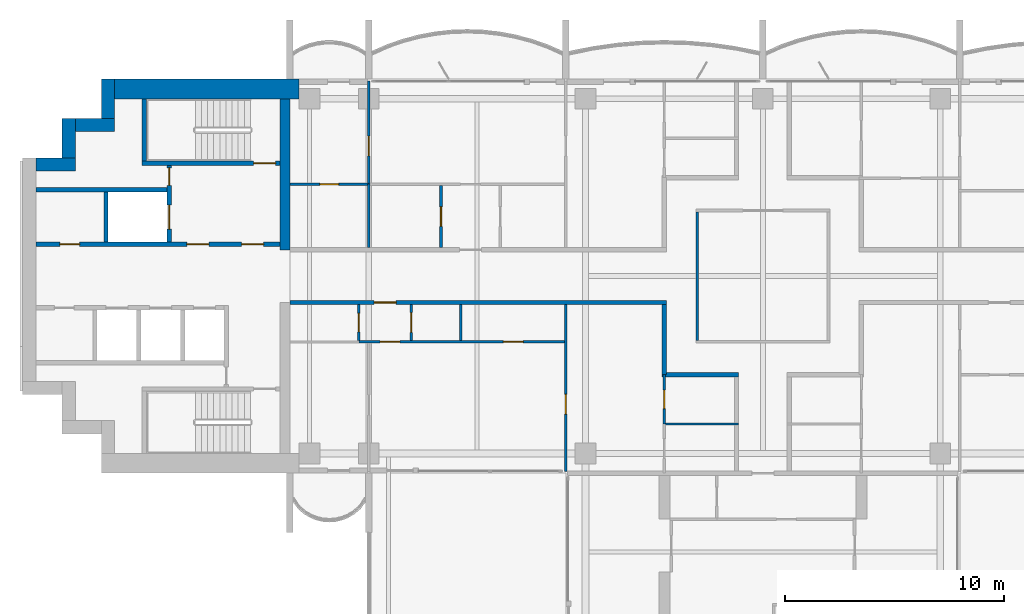
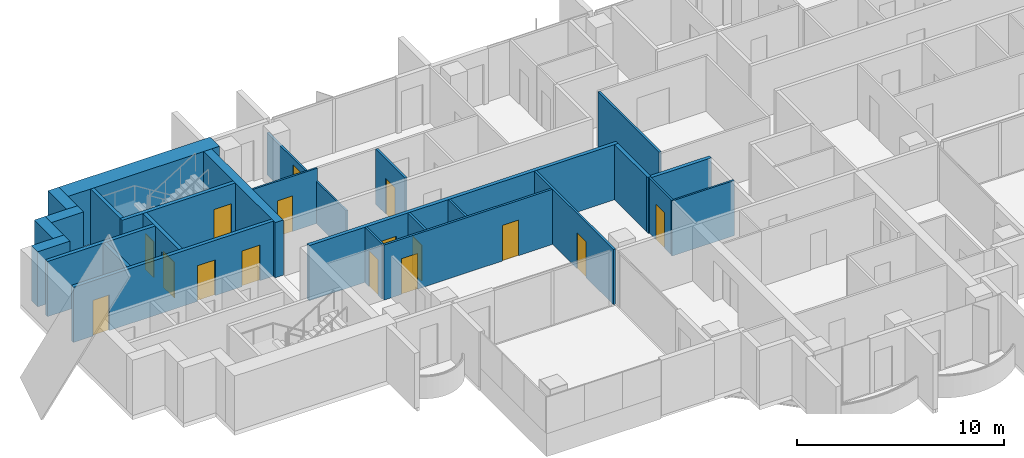
# One storey, part 9 of 17: 27 walls, 16 doors, 16 openings.
"""IFC4 building model written with IfcOpenShell, lengths in metres."""

from ifc_helpers import new_model, si_unit, direction, frame, frame_2d, origin, place, context, subcontext, project, spatial, rectangle, extrude, material, layer, layer_set, type_object, element, fill, save


model = new_model("IFC4")

# Units and contexts
model_context = context("Model", 3, precision=1e-05, world=origin(), true_north=direction((0.0, 1.0)))
body_context = subcontext(model_context, "Body", "Model", "MODEL_VIEW")
ifc_project = project(units=[si_unit("LENGTHUNIT", "METRE"), si_unit("AREAUNIT", "SQUARE_METRE"), si_unit("VOLUMEUNIT", "CUBIC_METRE"), si_unit("PLANEANGLEUNIT", "RADIAN"), si_unit("MASSUNIT", "GRAM", prefix="KILO")], contexts=[model_context])

# Site, building, storey
site_placement = place(None, origin())
site = spatial("IfcSite", under=ifc_project, at=site_placement, CompositionType="ELEMENT")
building_placement = place(site_placement, origin())
building = spatial("IfcBuilding", under=site, at=building_placement, Name="Perihelion Cross Residences", CompositionType="ELEMENT")
storey_placement = place(building_placement, frame((0.0, 0.0, 180.60009765625)))
storey = spatial("IfcBuildingStorey", under=building, at=storey_placement, Name="L44", CompositionType="ELEMENT", Elevation=180.60009765625)

# Wall, opening, door
ifc_material_1 = material(Name="Plasterboard partition")
ifc_layer_1 = layer(ifc_material_1, 0.199951171875)
ifc_layer_set_1 = layer_set([ifc_layer_1], Name="Apartment separation wall 200")
wall_type_1 = type_object("IfcWallType", Name="Apartment separation wall 200", PredefinedType="PARTITIONING", material=ifc_layer_set_1)
wall_1_placement = place(storey_placement, frame((-4.39990234375, -1.199951171875, 0.0), z_axis=(0.0, 0.0, 1.0), x_axis=(-1.0, 0.0, 0.0)))
wall_1 = element("IfcWall", 1, at=wall_1_placement, inside=storey, type_object=wall_type_1, Name="Partition L44 W017", PredefinedType="PARTITIONING", context=body_context, shape_type="SweptSolid", body=[
    extrude(rectangle(XDim=17.2001953125, YDim=0.199951171875, at=frame_2d((8.60009765625, 0.0))), origin(), (0.0, 0.0, 1.0), 3.25),
])
opening_1_placement = place(wall_1_placement, frame((12.35009765625, 0.0, 0.0)))
opening_1 = element("IfcOpeningElement", 2, at=opening_1_placement, cuts=wall_1, Name="Opening L44.A43", PredefinedType="OPENING", context=body_context, shape_type="SweptSolid", body=[
    extrude(rectangle(XDim=1.0, YDim=2.10009765625, at=frame_2d((0.5, 1.050048828125))), frame((0.0, 0.10986328125, 0.0), z_axis=(0.0, -1.0, 0.0), x_axis=(1.0, 0.0, 0.0)), (0.0, 0.0, 1.0), 0.219970703125),
])
ifc_material_2 = material(Name="Timber door leaf", Category="wood")
door_type_1 = type_object("IfcDoorType", Name="Flat entrance door 1000 x 2100", OperationType="SINGLE_SWING_LEFT", PredefinedType="DOOR", material=ifc_material_2)
door_1_placement = place(opening_1_placement, origin())
door_1 = element("IfcDoor", 3, at=door_1_placement, inside=storey, type_object=door_type_1, Name="Door L44.A43", OperationType="SINGLE_SWING_RIGHT", OverallHeight=2.10009765625, OverallWidth=1.0, PredefinedType="DOOR", context=body_context, shape_type="SweptSolid", body=[
    extrude(rectangle(XDim=1.0, YDim=2.10009765625, at=frame_2d((0.5, 1.050048828125))), frame((0.0, 0.02490234375, 0.0), z_axis=(0.0, -1.0, 0.0), x_axis=(1.0, 0.0, 0.0)), (0.0, 0.0, 1.0), 0.050048828125),
])
fill(opening_1, door_1)

# Walls
wall_2_placement = place(storey_placement, frame((-4.5, -4.5, 0.0), z_axis=(0.0, 0.0, 1.0), x_axis=(0.0, 1.0, 0.0)))
element("IfcWall", 4, at=wall_2_placement, inside=storey, type_object=wall_type_1, Name="Partition L44 W018", PredefinedType="PARTITIONING", context=body_context, shape_type="SweptSolid", body=[
    extrude(rectangle(XDim=3.199951171875, YDim=0.199951171875, at=frame_2d((1.60009765625, 0.0))), origin(), (0.0, 0.0, 1.0), 3.25),
])
wall_3_placement = place(storey_placement, frame((-1.10009765625, -4.5, 0.0), z_axis=(0.0, 0.0, 1.0), x_axis=(-1.0, 0.0, 0.0)))
element("IfcWall", 5, at=wall_3_placement, inside=storey, type_object=wall_type_1, Name="Partition L44 W020", PredefinedType="PARTITIONING", context=body_context, shape_type="SweptSolid", body=[
    extrude(rectangle(XDim=3.5, YDim=0.199951171875, at=frame_2d((1.75, 0.0))), origin(), (0.0, 0.0, 1.0), 3.25),
])
ifc_material_3 = material(Name="Concrete C60/75", Category="concrete")
ifc_layer_2 = layer(ifc_material_3, 0.449951171875)
ifc_layer_set_2 = layer_set([ifc_layer_2], Name="Core wall, inner 450")
wall_type_2 = type_object("IfcWallType", Name="Core wall, inner 450", PredefinedType="SHEAR", material=ifc_layer_set_2)
wall_4_placement = place(storey_placement, frame((-21.824951171875, 1.199951171875, 0.0), z_axis=(0.0, 0.0, 1.0), x_axis=(0.0, 1.0, 0.0)))
element("IfcWall", 6, at=wall_4_placement, inside=storey, type_object=wall_type_2, Name="West core core wall, inner", PredefinedType="SHEAR", context=body_context, shape_type="SweptSolid", body=[
    extrude(rectangle(XDim=6.900146484375, YDim=0.449951171875, at=frame_2d((3.4501953125, 0.0))), origin(), (0.0, 0.0, 1.0), 3.25),
])
ifc_material_4 = material(Name="Concrete C60/75", Category="concrete")
ifc_layer_3 = layer(ifc_material_4, 0.60009765625)
ifc_layer_set_3 = layer_set([ifc_layer_3], Name="Core wall, outer 600")
wall_type_3 = type_object("IfcWallType", Name="Core wall, outer 600", PredefinedType="SHEAR", material=ifc_layer_set_3)
for number, where, z_axis, x_axis, name in (
    (7, (-33.199951171875, 5.10009765625, 0.0), (0.0, 0.0, 1.0), (1.0, 0.0, 0.0), "West core core wall, outer"),
    (8, (-31.699951171875, 5.39990234375, 0.0), (0.0, 0.0, 1.0), (0.0, 1.0, 0.0), "West core core wall, outer"),
):
    element("IfcWall", number, at=place(storey_placement, frame(where, z_axis=z_axis, x_axis=x_axis)), inside=storey, type_object=wall_type_3, Name=name, PredefinedType="SHEAR", context=body_context, shape_type="SweptSolid", body=[
        extrude(rectangle(XDim=1.800048828125, YDim=0.60009765625, at=frame_2d((0.89990234375, 0.0))), origin(), (0.0, 0.0, 1.0), 3.25),
    ])
wall_5_placement = place(storey_placement, frame((-31.39990234375, 6.89990234375, 0.0), z_axis=(0.0, 0.0, 1.0), x_axis=(1.0, 0.0, 0.0)))
element("IfcWall", 9, at=wall_5_placement, inside=storey, type_object=wall_type_3, Name="West core core wall, outer", PredefinedType="SHEAR", context=body_context, shape_type="SweptSolid", body=[
    extrude(rectangle(XDim=1.7998046875, YDim=0.60009765625, at=frame_2d((0.89990234375, 0.0))), origin(), (0.0, 0.0, 1.0), 3.25),
])
wall_6_placement = place(storey_placement, frame((-29.89990234375, 7.199951171875, 0.0), z_axis=(0.0, 0.0, 1.0), x_axis=(0.0, 1.0, 0.0)))
element("IfcWall", 10, at=wall_6_placement, inside=storey, type_object=wall_type_3, Name="West core core wall, outer", PredefinedType="SHEAR", context=body_context, shape_type="SweptSolid", body=[
    extrude(rectangle(XDim=1.800048828125, YDim=0.60009765625, at=frame_2d((0.89990234375, 0.0))), origin(), (0.0, 0.0, 1.0), 3.25),
])
ifc_material_5 = material(Name="Concrete C60/75", Category="concrete")
ifc_layer_4 = layer(ifc_material_5, 0.89990234375)
ifc_layer_set_4 = layer_set([ifc_layer_4], Name="Core wall, outer 900")
wall_type_4 = type_object("IfcWallType", Name="Core wall, outer 900", PredefinedType="SHEAR", material=ifc_layer_set_4)
wall_7_placement = place(storey_placement, frame((-29.60009765625, 8.550048828125, 0.0), z_axis=(0.0, 0.0, 1.0), x_axis=(1.0, 0.0, 0.0)))
element("IfcWall", 11, at=wall_7_placement, inside=storey, type_object=wall_type_4, Name="West core core wall, outer", PredefinedType="SHEAR", context=body_context, shape_type="SweptSolid", body=[
    extrude(rectangle(XDim=8.425048828125, YDim=0.89990234375, at=frame_2d((4.21240234375, 0.0))), origin(), (0.0, 0.0, 1.0), 3.25),
])
ifc_material_6 = material(Name="Plasterboard partition")
ifc_layer_5 = layer(ifc_material_6, 0.1201171875)
ifc_layer_set_5 = layer_set([ifc_layer_5], Name="Partition wall 120")
wall_type_5 = type_object("IfcWallType", Name="Partition wall 120", PredefinedType="PARTITIONING", material=ifc_layer_set_5)
wall_8_placement = place(storey_placement, frame((-3.0, 2.93994140625, 0.0), z_axis=(0.0, 0.0, 1.0), x_axis=(0.0, -1.0, 0.0)))
element("IfcWall", 12, at=wall_8_placement, inside=storey, type_object=wall_type_5, Name="Partition L44 W004", PredefinedType="PARTITIONING", context=body_context, shape_type="SweptSolid", body=[
    extrude(rectangle(XDim=5.8798828125, YDim=0.1201171875, at=frame_2d((2.93994140625, 0.0))), origin(), (0.0, 0.0, 1.0), 3.25),
])

# Wall, opening, door
wall_9_placement = place(storey_placement, frame((-14.699951171875, 1.300048828125, 0.0), z_axis=(0.0, 0.0, 1.0), x_axis=(0.0, 1.0, 0.0)))
wall_9 = element("IfcWall", 13, at=wall_9_placement, inside=storey, type_object=wall_type_5, Name="Partition L44 W046", PredefinedType="PARTITIONING", context=body_context, shape_type="SweptSolid", body=[
    extrude(rectangle(XDim=2.83984375, YDim=0.1201171875, at=frame_2d((1.419921875, 0.0))), origin(), (0.0, 0.0, 1.0), 3.25),
])
opening_2_placement = place(wall_9_placement, frame((0.969970703125, 0.0, 0.0)))
opening_2 = element("IfcOpeningElement", 14, at=opening_2_placement, cuts=wall_9, Name="Opening L44.A24", PredefinedType="OPENING", context=body_context, shape_type="SweptSolid", body=[
    extrude(rectangle(XDim=0.89990234375, YDim=2.10009765625, at=frame_2d((0.449951171875, 1.050048828125))), frame((0.0, 0.070068359375, 0.0), z_axis=(0.0, -1.0, 0.0), x_axis=(1.0, 0.0, 0.0)), (0.0, 0.0, 1.0), 0.14013671875),
])
ifc_material_7 = material(Name="Timber door leaf", Category="wood")
door_type_2 = type_object("IfcDoorType", Name="Interior room door 900 x 2100", OperationType="SINGLE_SWING_LEFT", PredefinedType="DOOR", material=ifc_material_7)
door_2_placement = place(opening_2_placement, origin())
door_2 = element("IfcDoor", 15, at=door_2_placement, inside=storey, type_object=door_type_2, Name="Door L44.A24", OperationType="SINGLE_SWING_RIGHT", OverallHeight=2.10009765625, OverallWidth=0.89990234375, PredefinedType="DOOR", context=body_context, shape_type="SweptSolid", body=[
    extrude(rectangle(XDim=0.89990234375, YDim=2.10009765625, at=frame_2d((0.449951171875, 1.050048828125))), frame((0.0, 0.02490234375, 0.0), z_axis=(0.0, -1.0, 0.0), x_axis=(1.0, 0.0, 0.0)), (0.0, 0.0, 1.0), 0.050048828125),
])
fill(opening_2, door_2)

wall_10_placement = place(storey_placement, frame((-18.0, 4.199951171875, 0.0), z_axis=(0.0, 0.0, 1.0), x_axis=(0.0, 1.0, 0.0)))
wall_10 = element("IfcWall", 16, at=wall_10_placement, inside=storey, type_object=wall_type_5, Name="Partition L44 W049", PredefinedType="PARTITIONING", context=body_context, shape_type="SweptSolid", body=[
    extrude(rectangle(XDim=4.719970703125, YDim=0.1201171875, at=frame_2d((2.35986328125, 0.0))), origin(), (0.0, 0.0, 1.0), 2.47998046875),
])
opening_3_placement = place(wall_10_placement, frame((1.300048828125, 0.0, 0.0)))
opening_3 = element("IfcOpeningElement", 17, at=opening_3_placement, cuts=wall_10, Name="Opening L44.A18", PredefinedType="OPENING", context=body_context, shape_type="SweptSolid", body=[
    extrude(rectangle(XDim=0.89990234375, YDim=2.10009765625, at=frame_2d((0.449951171875, 1.050048828125))), frame((0.0, 0.070068359375, 0.0), z_axis=(0.0, -1.0, 0.0), x_axis=(1.0, 0.0, 0.0)), (0.0, 0.0, 1.0), 0.14013671875),
])
door_3_placement = place(opening_3_placement, origin())
door_3 = element("IfcDoor", 18, at=door_3_placement, inside=storey, type_object=door_type_2, Name="Door L44.A18", OperationType="SINGLE_SWING_LEFT", OverallHeight=2.10009765625, OverallWidth=0.89990234375, PredefinedType="DOOR", context=body_context, shape_type="SweptSolid", body=[
    extrude(rectangle(XDim=0.89990234375, YDim=2.10009765625, at=frame_2d((0.449951171875, 1.050048828125))), frame((0.0, 0.02490234375, 0.0), z_axis=(0.0, -1.0, 0.0), x_axis=(1.0, 0.0, 0.0)), (0.0, 0.0, 1.0), 0.050048828125),
])
fill(opening_3, door_3)

# Wall
wall_11_placement = place(storey_placement, frame((-13.800048828125, -2.93994140625, 0.0), z_axis=(0.0, 0.0, 1.0), x_axis=(0.0, 1.0, 0.0)))
element("IfcWall", 19, at=wall_11_placement, inside=storey, type_object=wall_type_5, Name="Partition L44 W053", PredefinedType="PARTITIONING", context=body_context, shape_type="SweptSolid", body=[
    extrude(rectangle(XDim=1.639892578125, YDim=0.1201171875, at=frame_2d((0.81982421875, 0.0))), origin(), (0.0, 0.0, 1.0), 3.25),
])

# Wall, openings, doors
wall_12_placement = place(storey_placement, frame((-8.93994140625, -3.0, 0.0), z_axis=(0.0, 0.0, 1.0), x_axis=(-1.0, 0.0, 0.0)))
wall_12 = element("IfcWall", 20, at=wall_12_placement, inside=storey, type_object=wall_type_5, Name="Partition L44 W054", PredefinedType="PARTITIONING", context=body_context, shape_type="SweptSolid", body=[
    extrude(rectangle(XDim=9.510009765625, YDim=0.1201171875, at=frame_2d((4.7548828125, 0.0))), origin(), (0.0, 0.0, 1.0), 3.25),
])
opening_4_placement = place(wall_12_placement, frame((2.010009765625, 0.0, 0.0)))
opening_4 = element("IfcOpeningElement", 21, at=opening_4_placement, cuts=wall_12, Name="Opening L44.A27", PredefinedType="OPENING", context=body_context, shape_type="SweptSolid", body=[
    extrude(rectangle(XDim=0.89990234375, YDim=2.10009765625, at=frame_2d((0.449951171875, 1.050048828125))), frame((0.0, 0.070068359375, 0.0), z_axis=(0.0, -1.0, 0.0), x_axis=(1.0, 0.0, 0.0)), (0.0, 0.0, 1.0), 0.14013671875),
])
opening_5_placement = place(wall_12_placement, frame((7.635009765625, 0.0, 0.0)))
opening_5 = element("IfcOpeningElement", 22, at=opening_5_placement, cuts=wall_12, Name="Opening L44.A30", PredefinedType="OPENING", context=body_context, shape_type="SweptSolid", body=[
    extrude(rectangle(XDim=0.89990234375, YDim=2.10009765625, at=frame_2d((0.449951171875, 1.050048828125))), frame((0.0, 0.070068359375, 0.0), z_axis=(0.0, -1.0, 0.0), x_axis=(1.0, 0.0, 0.0)), (0.0, 0.0, 1.0), 0.14013671875),
])
door_4_placement = place(opening_4_placement, origin())
door_4 = element("IfcDoor", 23, at=door_4_placement, inside=storey, type_object=door_type_2, Name="Door L44.A27", OperationType="SINGLE_SWING_RIGHT", OverallHeight=2.10009765625, OverallWidth=0.89990234375, PredefinedType="DOOR", context=body_context, shape_type="SweptSolid", body=[
    extrude(rectangle(XDim=0.89990234375, YDim=2.10009765625, at=frame_2d((0.449951171875, 1.050048828125))), frame((0.0, 0.02490234375, 0.0), z_axis=(0.0, -1.0, 0.0), x_axis=(1.0, 0.0, 0.0)), (0.0, 0.0, 1.0), 0.050048828125),
])
fill(opening_4, door_4)
door_5_placement = place(opening_5_placement, origin())
door_5 = element("IfcDoor", 24, at=door_5_placement, inside=storey, type_object=door_type_2, Name="Door L44.A30", OperationType="SINGLE_SWING_LEFT", OverallHeight=2.10009765625, OverallWidth=0.89990234375, PredefinedType="DOOR", context=body_context, shape_type="SweptSolid", body=[
    extrude(rectangle(XDim=0.89990234375, YDim=2.10009765625, at=frame_2d((0.449951171875, 1.050048828125))), frame((0.0, 0.02490234375, 0.0), z_axis=(0.0, -1.0, 0.0), x_axis=(1.0, 0.0, 0.0)), (0.0, 0.0, 1.0), 0.050048828125),
])
fill(opening_5, door_5)

# Wall, opening, door
wall_13_placement = place(storey_placement, frame((-9.0, -1.300048828125, 0.0), z_axis=(0.0, 0.0, 1.0), x_axis=(0.0, -1.0, 0.0)))
wall_13 = element("IfcWall", 25, at=wall_13_placement, inside=storey, type_object=wall_type_5, Name="Partition L44 W055", PredefinedType="PARTITIONING", context=body_context, shape_type="SweptSolid", body=[
    extrude(rectangle(XDim=7.619873046875, YDim=0.1201171875, at=frame_2d((3.81005859375, 0.0))), origin(), (0.0, 0.0, 1.0), 3.25),
])
opening_6_placement = place(wall_13_placement, frame((4.10009765625, 0.0, 0.0)))
opening_6 = element("IfcOpeningElement", 26, at=opening_6_placement, cuts=wall_13, Name="Opening L44.A31", PredefinedType="OPENING", context=body_context, shape_type="SweptSolid", body=[
    extrude(rectangle(XDim=0.89990234375, YDim=2.10009765625, at=frame_2d((0.449951171875, 1.050048828125))), frame((0.0, 0.070068359375, 0.0), z_axis=(0.0, -1.0, 0.0), x_axis=(1.0, 0.0, 0.0)), (0.0, 0.0, 1.0), 0.14013671875),
])
door_6_placement = place(opening_6_placement, origin())
door_6 = element("IfcDoor", 27, at=door_6_placement, inside=storey, type_object=door_type_2, Name="Door L44.A31", OperationType="SINGLE_SWING_LEFT", OverallHeight=2.10009765625, OverallWidth=0.89990234375, PredefinedType="DOOR", context=body_context, shape_type="SweptSolid", body=[
    extrude(rectangle(XDim=0.89990234375, YDim=2.10009765625, at=frame_2d((0.449951171875, 1.050048828125))), frame((0.0, 0.02490234375, 0.0), z_axis=(0.0, -1.0, 0.0), x_axis=(1.0, 0.0, 0.0)), (0.0, 0.0, 1.0), 0.050048828125),
])
fill(opening_6, door_6)

wall_14_placement = place(storey_placement, frame((-16.050048828125, -2.93994140625, 0.0), z_axis=(0.0, 0.0, 1.0), x_axis=(0.0, 1.0, 0.0)))
wall_14 = element("IfcWall", 28, at=wall_14_placement, inside=storey, type_object=wall_type_5, Name="Partition L44 W056", PredefinedType="PARTITIONING", context=body_context, shape_type="SweptSolid", body=[
    extrude(rectangle(XDim=1.639892578125, YDim=0.1201171875, at=frame_2d((0.81982421875, 0.0))), origin(), (0.0, 0.0, 1.0), 3.25),
])
opening_7_placement = place(wall_14_placement, frame((0.3701171875, 0.0, 0.0)))
opening_7 = element("IfcOpeningElement", 29, at=opening_7_placement, cuts=wall_14, Name="Opening L44.A28", PredefinedType="OPENING", context=body_context, shape_type="SweptSolid", body=[
    extrude(rectangle(XDim=0.89990234375, YDim=2.10009765625, at=frame_2d((0.449951171875, 1.050048828125))), frame((0.0, 0.070068359375, 0.0), z_axis=(0.0, -1.0, 0.0), x_axis=(1.0, 0.0, 0.0)), (0.0, 0.0, 1.0), 0.14013671875),
])
door_7_placement = place(opening_7_placement, origin())
door_7 = element("IfcDoor", 30, at=door_7_placement, inside=storey, type_object=door_type_2, Name="Door L44.A28", OperationType="SINGLE_SWING_LEFT", OverallHeight=2.10009765625, OverallWidth=0.89990234375, PredefinedType="DOOR", context=body_context, shape_type="SweptSolid", body=[
    extrude(rectangle(XDim=0.89990234375, YDim=2.10009765625, at=frame_2d((0.449951171875, 1.050048828125))), frame((0.0, 0.02490234375, 0.0), z_axis=(0.0, -1.0, 0.0), x_axis=(1.0, 0.0, 0.0)), (0.0, 0.0, 1.0), 0.050048828125),
])
fill(opening_7, door_7)

# Wall, openings, doors
ifc_material_8 = material(Name="Concrete C50/60", Category="concrete")
ifc_layer_6 = layer(ifc_material_8, 0.199951171875)
ifc_layer_set_6 = layer_set([ifc_layer_6], Name="Shaft wall 200")
wall_type_6 = type_object("IfcWallType", Name="Shaft wall 200", PredefinedType="SOLIDWALL", material=ifc_layer_set_6)
wall_15_placement = place(storey_placement, frame((-33.199951171875, 1.449951171875, 0.0), z_axis=(0.0, 0.0, 1.0), x_axis=(1.0, 0.0, 0.0)))
wall_15 = element("IfcWall", 31, at=wall_15_placement, inside=storey, type_object=wall_type_6, Name="West core shaft wall", PredefinedType="SOLIDWALL", context=body_context, shape_type="SweptSolid", body=[
    extrude(rectangle(XDim=11.14990234375, YDim=0.199951171875, at=frame_2d((5.574951171875, 0.0))), origin(), (0.0, 0.0, 1.0), 3.25),
])
opening_8_placement = place(wall_15_placement, frame((9.39990234375, 0.0, 0.0)))
opening_8 = element("IfcOpeningElement", 32, at=opening_8_placement, cuts=wall_15, Name="Opening L44.C19", PredefinedType="OPENING", context=body_context, shape_type="SweptSolid", body=[
    extrude(rectangle(XDim=1.0, YDim=2.10009765625, at=frame_2d((0.5, 1.050048828125))), frame((0.0, 0.10986328125, 0.0), z_axis=(0.0, -1.0, 0.0), x_axis=(1.0, 0.0, 0.0)), (0.0, 0.0, 1.0), 0.219970703125),
])
opening_9_placement = place(wall_15_placement, frame((6.89990234375, 0.0, 0.0)))
opening_9 = element("IfcOpeningElement", 33, at=opening_9_placement, cuts=wall_15, Name="Opening L44.C21", PredefinedType="OPENING", context=body_context, shape_type="SweptSolid", body=[
    extrude(rectangle(XDim=1.0, YDim=2.10009765625, at=frame_2d((0.5, 1.050048828125))), frame((0.0, 0.10986328125, 0.0), z_axis=(0.0, -1.0, 0.0), x_axis=(1.0, 0.0, 0.0)), (0.0, 0.0, 1.0), 0.219970703125),
])
opening_10_placement = place(wall_15_placement, frame((1.10009765625, 0.0, 0.0)))
opening_10 = element("IfcOpeningElement", 34, at=opening_10_placement, cuts=wall_15, Name="Opening L44.C23", PredefinedType="OPENING", context=body_context, shape_type="SweptSolid", body=[
    extrude(rectangle(XDim=0.89990234375, YDim=2.10009765625, at=frame_2d((0.449951171875, 1.050048828125))), frame((0.0, 0.10986328125, 0.0), z_axis=(0.0, -1.0, 0.0), x_axis=(1.0, 0.0, 0.0)), (0.0, 0.0, 1.0), 0.219970703125),
])
ifc_material_9 = material(Name="Steel, powder coated", Category="steel")
door_type_3 = type_object("IfcDoorType", Name="Lobby door 1000", OperationType="SINGLE_SWING_LEFT", PredefinedType="DOOR", material=ifc_material_9)
door_8_placement = place(opening_8_placement, origin())
door_8 = element("IfcDoor", 35, at=door_8_placement, inside=storey, type_object=door_type_3, Name="West core firefighting lobby door", OperationType="SINGLE_SWING_LEFT", OverallHeight=2.10009765625, OverallWidth=1.0, PredefinedType="DOOR", context=body_context, shape_type="SweptSolid", body=[
    extrude(rectangle(XDim=1.0, YDim=2.10009765625, at=frame_2d((0.5, 1.050048828125))), frame((0.0, 0.02490234375, 0.0), z_axis=(0.0, -1.0, 0.0), x_axis=(1.0, 0.0, 0.0)), (0.0, 0.0, 1.0), 0.050048828125),
])
fill(opening_8, door_8)
door_9_placement = place(opening_9_placement, origin())
door_9 = element("IfcDoor", 36, at=door_9_placement, inside=storey, type_object=door_type_3, Name="West core firefighting lobby door", OperationType="SINGLE_SWING_LEFT", OverallHeight=2.10009765625, OverallWidth=1.0, PredefinedType="DOOR", context=body_context, shape_type="SweptSolid", body=[
    extrude(rectangle(XDim=1.0, YDim=2.10009765625, at=frame_2d((0.5, 1.050048828125))), frame((0.0, 0.02490234375, 0.0), z_axis=(0.0, -1.0, 0.0), x_axis=(1.0, 0.0, 0.0)), (0.0, 0.0, 1.0), 0.050048828125),
])
fill(opening_9, door_9)
ifc_material_10 = material(Name="Steel, powder coated", Category="steel")
door_type_4 = type_object("IfcDoorType", Name="Service room door 900", OperationType="SINGLE_SWING_LEFT", PredefinedType="DOOR", material=ifc_material_10)
door_10_placement = place(opening_10_placement, origin())
door_10 = element("IfcDoor", 37, at=door_10_placement, inside=storey, type_object=door_type_4, Name="West core service room door", OperationType="SINGLE_SWING_LEFT", OverallHeight=2.10009765625, OverallWidth=0.89990234375, PredefinedType="DOOR", context=body_context, shape_type="SweptSolid", body=[
    extrude(rectangle(XDim=0.89990234375, YDim=2.10009765625, at=frame_2d((0.449951171875, 1.050048828125))), frame((0.0, 0.02490234375, 0.0), z_axis=(0.0, -1.0, 0.0), x_axis=(1.0, 0.0, 0.0)), (0.0, 0.0, 1.0), 0.050048828125),
])
fill(opening_10, door_10)

# Wall
wall_16_placement = place(storey_placement, frame((-33.199951171875, 3.949951171875, 0.0), z_axis=(0.0, 0.0, 1.0), x_axis=(1.0, 0.0, 0.0)))
element("IfcWall", 38, at=wall_16_placement, inside=storey, type_object=wall_type_6, Name="West core shaft wall", PredefinedType="SOLIDWALL", context=body_context, shape_type="SweptSolid", body=[
    extrude(rectangle(XDim=6.0, YDim=0.199951171875, at=frame_2d((3.0, 0.0))), origin(), (0.0, 0.0, 1.0), 3.25),
])

# Wall, openings, doors
wall_17_placement = place(storey_placement, frame((-27.10009765625, 1.550048828125, 0.0), z_axis=(0.0, 0.0, 1.0), x_axis=(0.0, 1.0, 0.0)))
wall_17 = element("IfcWall", 39, at=wall_17_placement, inside=storey, type_object=wall_type_6, Name="West core shaft wall", PredefinedType="SOLIDWALL", context=body_context, shape_type="SweptSolid", body=[
    extrude(rectangle(XDim=3.5, YDim=0.199951171875, at=frame_2d((1.75, 0.0))), origin(), (0.0, 0.0, 1.0), 3.25),
])
opening_11_placement = place(wall_17_placement, frame((0.60009765625, 0.0, 0.0)))
opening_11 = element("IfcOpeningElement", 40, at=opening_11_placement, cuts=wall_17, Name="Opening L44.C14", PredefinedType="OPENING", context=body_context, shape_type="SweptSolid", body=[
    extrude(rectangle(XDim=1.10009765625, YDim=2.10009765625, at=frame_2d((0.550048828125, 1.050048828125))), frame((0.0, 0.10986328125, 0.0), z_axis=(0.0, -1.0, 0.0), x_axis=(1.0, 0.0, 0.0)), (0.0, 0.0, 1.0), 0.219970703125),
])
opening_12_placement = place(wall_17_placement, frame((2.60009765625, 0.0, 0.0)))
opening_12 = element("IfcOpeningElement", 41, at=opening_12_placement, cuts=wall_17, Name="Opening L44.C22", PredefinedType="OPENING", context=body_context, shape_type="SweptSolid", body=[
    extrude(rectangle(XDim=0.800048828125, YDim=2.10009765625, at=frame_2d((0.39990234375, 1.050048828125))), frame((0.0, 0.10986328125, 0.0), z_axis=(0.0, -1.0, 0.0), x_axis=(1.0, 0.0, 0.0)), (0.0, 0.0, 1.0), 0.219970703125),
])
ifc_material_11 = material(Name="Stainless steel", Category="steel")
door_type_5 = type_object("IfcDoorType", Name="Landing door, firefighting lift 1100", OperationType="DOUBLE_DOOR_SLIDING", PredefinedType="DOOR", material=ifc_material_11)
door_11_placement = place(opening_11_placement, origin())
door_11 = element("IfcDoor", 42, at=door_11_placement, inside=storey, type_object=door_type_5, Name="Landing door, West core firefighting and service lift", OperationType="DOUBLE_DOOR_SLIDING", OverallHeight=2.10009765625, OverallWidth=1.10009765625, PredefinedType="DOOR", context=body_context, shape_type="SweptSolid", body=[
    extrude(rectangle(XDim=1.10009765625, YDim=2.10009765625, at=frame_2d((0.550048828125, 1.050048828125))), frame((0.0, 0.02490234375, 0.0), z_axis=(0.0, -1.0, 0.0), x_axis=(1.0, 0.0, 0.0)), (0.0, 0.0, 1.0), 0.050048828125),
])
fill(opening_11, door_11)
ifc_material_12 = material(Name="Steel, powder coated", Category="steel")
door_type_6 = type_object("IfcDoorType", Name="Riser door 800", OperationType="SINGLE_SWING_LEFT", PredefinedType="DOOR", material=ifc_material_12)
door_12_placement = place(opening_12_placement, origin())
door_12 = element("IfcDoor", 43, at=door_12_placement, inside=storey, type_object=door_type_6, Name="West core riser door", OperationType="SINGLE_SWING_LEFT", OverallHeight=2.10009765625, OverallWidth=0.800048828125, PredefinedType="DOOR", context=body_context, shape_type="SweptSolid", body=[
    extrude(rectangle(XDim=0.800048828125, YDim=2.10009765625, at=frame_2d((0.39990234375, 1.050048828125))), frame((0.0, 0.02490234375, 0.0), z_axis=(0.0, -1.0, 0.0), x_axis=(1.0, 0.0, 0.0)), (0.0, 0.0, 1.0), 0.050048828125),
])
fill(opening_12, door_12)

# Wall
wall_18_placement = place(storey_placement, frame((-30.0, 1.550048828125, 0.0), z_axis=(0.0, 0.0, 1.0), x_axis=(0.0, 1.0, 0.0)))
element("IfcWall", 44, at=wall_18_placement, inside=storey, type_object=wall_type_6, Name="West core shaft wall", PredefinedType="SOLIDWALL", context=body_context, shape_type="SweptSolid", body=[
    extrude(rectangle(XDim=2.300048828125, YDim=0.199951171875, at=frame_2d((1.14990234375, 0.0))), origin(), (0.0, 0.0, 1.0), 3.25),
])

# Wall, opening, door
ifc_material_13 = material(Name="Concrete C50/60", Category="concrete")
ifc_layer_7 = layer(ifc_material_13, 0.199951171875)
ifc_layer_set_7 = layer_set([ifc_layer_7], Name="Stair wall 200")
wall_type_7 = type_object("IfcWallType", Name="Stair wall 200", PredefinedType="SOLIDWALL", material=ifc_layer_set_7)
wall_19_placement = place(storey_placement, frame((-28.35009765625, 5.14990234375, 0.0), z_axis=(0.0, 0.0, 1.0), x_axis=(1.0, 0.0, 0.0)))
wall_19 = element("IfcWall", 45, at=wall_19_placement, inside=storey, type_object=wall_type_7, Name="West core stair wall", PredefinedType="SOLIDWALL", context=body_context, shape_type="SweptSolid", body=[
    extrude(rectangle(XDim=6.300048828125, YDim=0.199951171875, at=frame_2d((3.14990234375, 0.0))), origin(), (0.0, 0.0, 1.0), 3.25),
])
opening_13_placement = place(wall_19_placement, frame((5.10009765625, 0.0, 0.0)))
opening_13 = element("IfcOpeningElement", 46, at=opening_13_placement, cuts=wall_19, Name="Opening L44.C18", PredefinedType="OPENING", context=body_context, shape_type="SweptSolid", body=[
    extrude(rectangle(XDim=1.0, YDim=2.10009765625, at=frame_2d((0.5, 1.050048828125))), frame((0.0, 0.10986328125, 0.0), z_axis=(0.0, -1.0, 0.0), x_axis=(1.0, 0.0, 0.0)), (0.0, 0.0, 1.0), 0.219970703125),
])
ifc_material_14 = material(Name="Steel, powder coated", Category="steel")
door_type_7 = type_object("IfcDoorType", Name="Stair door 1000", OperationType="SINGLE_SWING_LEFT", PredefinedType="DOOR", material=ifc_material_14)
door_13_placement = place(opening_13_placement, origin())
door_13 = element("IfcDoor", 47, at=door_13_placement, inside=storey, type_object=door_type_7, Name="West core stair door", OperationType="SINGLE_SWING_LEFT", OverallHeight=2.10009765625, OverallWidth=1.0, PredefinedType="DOOR", context=body_context, shape_type="SweptSolid", body=[
    extrude(rectangle(XDim=1.0, YDim=2.10009765625, at=frame_2d((0.5, 1.050048828125))), frame((0.0, 0.02490234375, 0.0), z_axis=(0.0, -1.0, 0.0), x_axis=(1.0, 0.0, 0.0)), (0.0, 0.0, 1.0), 0.050048828125),
])
fill(opening_13, door_13)

# Walls
wall_20_placement = place(storey_placement, frame((-28.25, 5.25, 0.0), z_axis=(0.0, 0.0, 1.0), x_axis=(0.0, 1.0, 0.0)))
element("IfcWall", 48, at=wall_20_placement, inside=storey, type_object=wall_type_7, Name="West core stair wall", PredefinedType="SOLIDWALL", context=body_context, shape_type="SweptSolid", body=[
    extrude(rectangle(XDim=2.85009765625, YDim=0.199951171875, at=frame_2d((1.425048828125, 0.0))), origin(), (0.0, 0.0, 1.0), 3.25),
])
ifc_material_15 = material(Name="Plasterboard partition")
ifc_layer_8 = layer(ifc_material_15, 0.10009765625)
ifc_layer_set_8 = layer_set([ifc_layer_8], Name="Wet room wall 100")
wall_type_8 = type_object("IfcWallType", Name="Wet room wall 100", PredefinedType="PARTITIONING", material=ifc_layer_set_8)
wall_21_placement = place(storey_placement, frame((-18.0, 1.300048828125, 0.0), z_axis=(0.0, 0.0, 1.0), x_axis=(0.0, 1.0, 0.0)))
element("IfcWall", 49, at=wall_21_placement, inside=storey, type_object=wall_type_8, Name="Partition L44 W047", PredefinedType="PARTITIONING", context=body_context, shape_type="SweptSolid", body=[
    extrude(rectangle(XDim=2.89990234375, YDim=0.10009765625, at=frame_2d((1.449951171875, 0.0))), origin(), (0.0, 0.0, 1.0), 2.47998046875),
])

# Wall, opening, door
wall_22_placement = place(storey_placement, frame((-21.60009765625, 4.199951171875, 0.0), z_axis=(0.0, 0.0, 1.0), x_axis=(1.0, 0.0, 0.0)))
wall_22 = element("IfcWall", 50, at=wall_22_placement, inside=storey, type_object=wall_type_8, Name="Partition L44 W048", PredefinedType="PARTITIONING", context=body_context, shape_type="SweptSolid", body=[
    extrude(rectangle(XDim=3.60009765625, YDim=0.10009765625, at=frame_2d((1.800048828125, 0.0))), origin(), (0.0, 0.0, 1.0), 3.25),
])
opening_14_placement = place(wall_22_placement, frame((1.375, 0.0, 0.0)))
opening_14 = element("IfcOpeningElement", 51, at=opening_14_placement, cuts=wall_22, Name="Opening L44.A19", PredefinedType="OPENING", context=body_context, shape_type="SweptSolid", body=[
    extrude(rectangle(XDim=0.85009765625, YDim=2.10009765625, at=frame_2d((0.425048828125, 1.050048828125))), frame((0.0, 0.06005859375, 0.0), z_axis=(0.0, -1.0, 0.0), x_axis=(1.0, 0.0, 0.0)), (0.0, 0.0, 1.0), 0.1201171875),
])
ifc_material_16 = material(Name="Timber door leaf", Category="wood")
door_type_8 = type_object("IfcDoorType", Name="Interior bathroom door 850 x 2100", OperationType="SINGLE_SWING_LEFT", PredefinedType="DOOR", material=ifc_material_16)
door_14_placement = place(opening_14_placement, origin())
door_14 = element("IfcDoor", 52, at=door_14_placement, inside=storey, type_object=door_type_8, Name="Door L44.A19", OperationType="SINGLE_SWING_LEFT", OverallHeight=2.10009765625, OverallWidth=0.85009765625, PredefinedType="DOOR", context=body_context, shape_type="SweptSolid", body=[
    extrude(rectangle(XDim=0.85009765625, YDim=2.10009765625, at=frame_2d((0.425048828125, 1.050048828125))), frame((0.0, 0.02490234375, 0.0), z_axis=(0.0, -1.0, 0.0), x_axis=(1.0, 0.0, 0.0)), (0.0, 0.0, 1.0), 0.050048828125),
])
fill(opening_14, door_14)

wall_23_placement = place(storey_placement, frame((-18.449951171875, -2.93994140625, 0.0), z_axis=(0.0, 0.0, 1.0), x_axis=(0.0, 1.0, 0.0)))
wall_23 = element("IfcWall", 53, at=wall_23_placement, inside=storey, type_object=wall_type_8, Name="Partition L44 W057", PredefinedType="PARTITIONING", context=body_context, shape_type="SweptSolid", body=[
    extrude(rectangle(XDim=1.639892578125, YDim=0.10009765625, at=frame_2d((0.81982421875, 0.0))), origin(), (0.0, 0.0, 1.0), 3.25),
])
opening_15_placement = place(wall_23_placement, frame((0.39501953125, 0.0, 0.0)))
opening_15 = element("IfcOpeningElement", 54, at=opening_15_placement, cuts=wall_23, Name="Opening L44.A26", PredefinedType="OPENING", context=body_context, shape_type="SweptSolid", body=[
    extrude(rectangle(XDim=0.85009765625, YDim=2.10009765625, at=frame_2d((0.425048828125, 1.050048828125))), frame((0.0, 0.06005859375, 0.0), z_axis=(0.0, -1.0, 0.0), x_axis=(1.0, 0.0, 0.0)), (0.0, 0.0, 1.0), 0.1201171875),
])
door_15_placement = place(opening_15_placement, origin())
door_15 = element("IfcDoor", 55, at=door_15_placement, inside=storey, type_object=door_type_8, Name="Door L44.A26", OperationType="SINGLE_SWING_RIGHT", OverallHeight=2.10009765625, OverallWidth=0.85009765625, PredefinedType="DOOR", context=body_context, shape_type="SweptSolid", body=[
    extrude(rectangle(XDim=0.85009765625, YDim=2.10009765625, at=frame_2d((0.425048828125, 1.050048828125))), frame((0.0, 0.02490234375, 0.0), z_axis=(0.0, -1.0, 0.0), x_axis=(1.0, 0.0, 0.0)), (0.0, 0.0, 1.0), 0.050048828125),
])
fill(opening_15, door_15)

wall_24_placement = place(storey_placement, frame((-4.5, -4.5, 0.0), z_axis=(0.0, 0.0, 1.0), x_axis=(0.0, -1.0, 0.0)))
wall_24 = element("IfcWall", 56, at=wall_24_placement, inside=storey, type_object=wall_type_8, Name="Partition L44 W060", PredefinedType="PARTITIONING", context=body_context, shape_type="SweptSolid", body=[
    extrude(rectangle(XDim=2.25, YDim=0.10009765625, at=frame_2d((1.125, 0.0))), origin(), (0.0, 0.0, 1.0), 3.25),
])
opening_16_placement = place(wall_24_placement, frame((0.699951171875, 0.0, 0.0)))
opening_16 = element("IfcOpeningElement", 57, at=opening_16_placement, cuts=wall_24, Name="Opening L44.A33", PredefinedType="OPENING", context=body_context, shape_type="SweptSolid", body=[
    extrude(rectangle(XDim=0.85009765625, YDim=2.10009765625, at=frame_2d((0.425048828125, 1.050048828125))), frame((0.0, 0.06005859375, 0.0), z_axis=(0.0, -1.0, 0.0), x_axis=(1.0, 0.0, 0.0)), (0.0, 0.0, 1.0), 0.1201171875),
])
door_16_placement = place(opening_16_placement, origin())
door_16 = element("IfcDoor", 58, at=door_16_placement, inside=storey, type_object=door_type_8, Name="Door L44.A33", OperationType="SINGLE_SWING_LEFT", OverallHeight=2.10009765625, OverallWidth=0.85009765625, PredefinedType="DOOR", context=body_context, shape_type="SweptSolid", body=[
    extrude(rectangle(XDim=0.85009765625, YDim=2.10009765625, at=frame_2d((0.425048828125, 1.050048828125))), frame((0.0, 0.02490234375, 0.0), z_axis=(0.0, -1.0, 0.0), x_axis=(1.0, 0.0, 0.0)), (0.0, 0.0, 1.0), 0.050048828125),
])
fill(opening_16, door_16)

# Wall
wall_25_placement = place(storey_placement, frame((-1.10009765625, -6.75, 0.0), z_axis=(0.0, 0.0, 1.0), x_axis=(-1.0, 0.0, 0.0)))
element("IfcWall", 59, at=wall_25_placement, inside=storey, type_object=wall_type_8, Name="Partition L44 W062", PredefinedType="PARTITIONING", context=body_context, shape_type="SweptSolid", body=[
    extrude(rectangle(XDim=3.4599609375, YDim=0.10009765625, at=frame_2d((1.72998046875, 0.0))), origin(), (0.0, 0.0, 1.0), 3.25),
])

save(model, "model.ifc")
